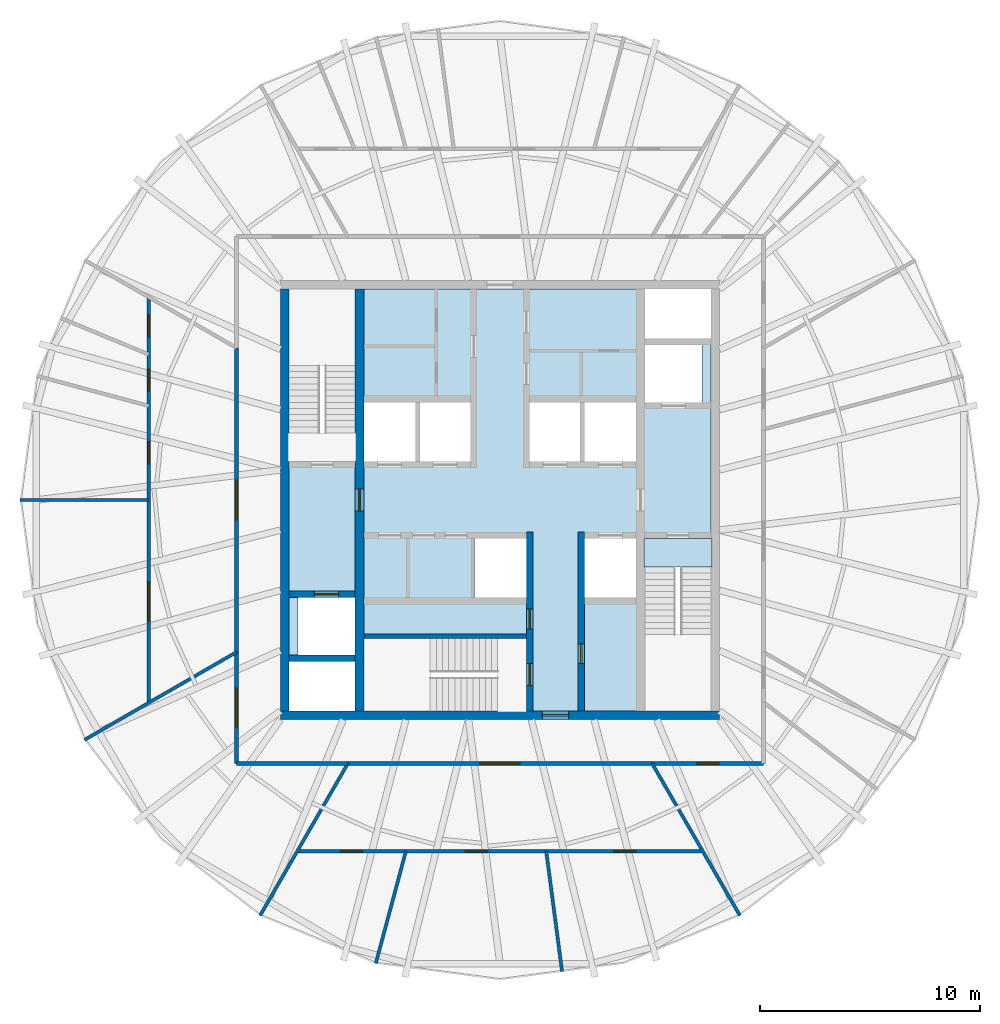
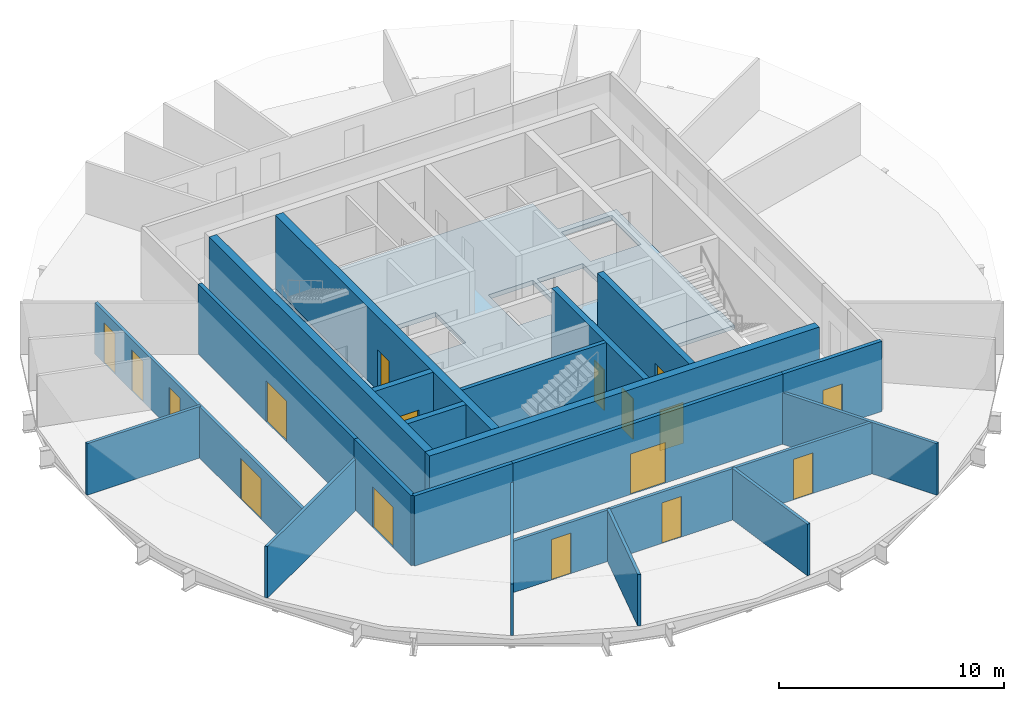
# One storey, part 3 of 7: 21 walls, 17 doors, 2 slabs, 17 openings.
"""IFC4 building model written with IfcOpenShell, lengths in metres."""

from ifc_helpers import new_model, si_unit, direction, frame, frame_2d, origin, place, context, subcontext, project, spatial, polyline, rectangle, outline, extrude, material, layer, layer_set, type_object, element, fill, save


model = new_model("IFC4")

# Units and contexts
model_context = context("Model", 3, precision=1e-05, world=origin(), true_north=direction((0.0, 1.0)))
body_context = subcontext(model_context, "Body", "Model", "MODEL_VIEW")
ifc_project = project(units=[si_unit("LENGTHUNIT", "METRE"), si_unit("AREAUNIT", "SQUARE_METRE"), si_unit("VOLUMEUNIT", "CUBIC_METRE"), si_unit("PLANEANGLEUNIT", "RADIAN"), si_unit("MASSUNIT", "GRAM", prefix="KILO")], contexts=[model_context])

# Site, building, storey
site_placement = place(None, origin())
site = spatial("IfcSite", under=ifc_project, at=site_placement, CompositionType="ELEMENT")
building_placement = place(site_placement, origin())
building = spatial("IfcBuilding", under=site, at=building_placement, Name="Golbaran Civic Tower", CompositionType="ELEMENT")
storey_placement = place(building_placement, frame((0.0, 0.0, 268.0)))
storey = spatial("IfcBuildingStorey", under=building, at=storey_placement, Name="L65", CompositionType="ELEMENT", Elevation=268.0)

# Slabs
ifc_material_1 = material(Name="Concrete C35/45", Category="concrete")
ifc_layer_1 = layer(ifc_material_1, 0.25, Name="Concrete C35/45")
ifc_layer_set_1 = layer_set([ifc_layer_1], Name="Concrete C35/45")
slab_type_1 = type_object("IfcSlabType", Name="CORE FLOOR SLAB 250", PredefinedType="FLOOR", material=ifc_layer_set_1)
slab_1_placement = place(storey_placement, frame((0.0, 0.0, -0.25)))
element("IfcSlab", 1, at=slab_1_placement, inside=storey, type_object=slab_type_1, Name="Core floor slab L65", PredefinedType="FLOOR", context=body_context, shape_type="SweptSolid", body=[
    extrude(outline(polyline([(6.60009765625, -1.75), (6.60009765625, -9.60009765625), (1.199951171875, -9.60009765625), (1.199951171875, -6.300048828125), (-6.199951171875, -6.300048828125), (-6.199951171875, -9.60009765625), (-6.60009765625, -9.60009765625), (-6.60009765625, -7.35009765625), (-9.60009765625, -7.35009765625), (-9.60009765625, 1.75), (-6.60009765625, 1.75), (-6.60009765625, 9.60009765625), (6.60009765625, 9.60009765625), (6.60009765625, 7.35009765625), (9.60009765625, 7.35009765625), (9.60009765625, -1.75), (6.60009765625, -1.75)]), holes=[polyline([(9.199951171875, 7.050048828125), (6.60009765625, 7.050048828125), (6.60009765625, 4.449951171875), (9.199951171875, 4.449951171875), (9.199951171875, 7.050048828125)]), polyline([(6.199951171875, -1.75), (3.85009765625, -1.75), (3.85009765625, -4.449951171875), (6.199951171875, -4.449951171875), (6.199951171875, -1.75)]), polyline([(6.199951171875, 4.449951171875), (3.85009765625, 4.449951171875), (3.85009765625, 1.75), (6.199951171875, 1.75), (6.199951171875, 4.449951171875)]), polyline([(3.64990234375, 4.449951171875), (1.35009765625, 4.449951171875), (1.35009765625, 1.75), (3.64990234375, 1.75), (3.64990234375, 4.449951171875)]), polyline([(-1.14990234375, -1.75), (-1.14990234375, -4.449951171875), (1.199951171875, -4.449951171875), (1.199951171875, -1.75), (-1.14990234375, -1.75)]), polyline([(-1.35009765625, 4.449951171875), (-3.64990234375, 4.449951171875), (-3.64990234375, 1.75), (-1.35009765625, 1.75), (-1.35009765625, 4.449951171875)]), polyline([(-3.85009765625, 4.449951171875), (-6.199951171875, 4.449951171875), (-6.199951171875, 1.75), (-3.85009765625, 1.75), (-3.85009765625, 4.449951171875)]), polyline([(-6.60009765625, -4.449951171875), (-9.199951171875, -4.449951171875), (-9.199951171875, -7.050048828125), (-6.60009765625, -7.050048828125), (-6.60009765625, -4.449951171875)])]), origin(), (0.0, 0.0, 1.0), 0.25),
])
ifc_layer_2 = layer(ifc_material_1, 0.199951171875, Name="Concrete C35/45")
ifc_layer_set_2 = layer_set([ifc_layer_2], Name="Concrete C35/45")
slab_type_2 = type_object("IfcSlabType", Name="STAIR LANDING 200", PredefinedType="LANDING", material=ifc_layer_set_2)
slab_2_placement = place(storey_placement, frame((0.0, 0.0, -0.199951171875)))
element("IfcSlab", 2, at=slab_2_placement, inside=storey, type_object=slab_type_2, Name="Stair S2 floor landing L65", PredefinedType="LANDING", context=body_context, shape_type="SweptSolid", body=[
    extrude(outline(polyline([(9.64990234375, -1.75), (9.64990234375, -3.054931640625), (6.550048828125, -3.054931640625), (6.550048828125, -1.75), (9.64990234375, -1.75)])), origin(), (0.0, 0.0, 1.0), 0.199951171875),
])

# Wall, opening, door
ifc_material_2 = material(Name="Concrete C50/60", Category="concrete")
ifc_layer_3 = layer(ifc_material_2, 0.39990234375, Name="Concrete C50/60")
ifc_layer_set_3 = layer_set([ifc_layer_3], Name="Concrete C50/60")
wall_type_1 = type_object("IfcWallType", Name="CORE WALL CONCRETE 400", PredefinedType="SOLIDWALL", material=ifc_layer_set_3)
wall_1_placement = place(storey_placement, frame((10.0, -9.800048828125, 0.0), z_axis=(0.0, 0.0, 1.0), x_axis=(-1.0, 0.0, 0.0)))
wall_1 = element("IfcWall", 3, at=wall_1_placement, inside=storey, type_object=wall_type_1, Name="Core wall CS L65", PredefinedType="SOLIDWALL", context=body_context, shape_type="SweptSolid", body=[
    extrude(rectangle(XDim=20.0, YDim=0.39990234375, at=frame_2d((10.0, 0.0))), origin(), (0.0, 0.0, 1.0), 4.0),
])
opening_1_placement = place(wall_1_placement, frame((6.875, 0.0, 0.0)))
opening_1 = element("IfcOpeningElement", 4, at=opening_1_placement, cuts=wall_1, Name="Opening L65.CS", PredefinedType="OPENING", context=body_context, shape_type="SweptSolid", body=[
    extrude(rectangle(XDim=1.199951171875, YDim=2.199951171875, at=frame_2d((0.60009765625, 1.10009765625))), frame((0.0, 0.2099609375, 0.0), z_axis=(0.0, -1.0, 0.0), x_axis=(1.0, 0.0, 0.0)), (0.0, 0.0, 1.0), 0.419921875),
])
ifc_material_3 = material(Name="Timber door set in steel frame", Category="steel")
door_type_1 = type_object("IfcDoorType", Name="CORE DOOR 1200x2200", OperationType="DOUBLE_DOOR_SINGLE_SWING", PredefinedType="DOOR", material=ifc_material_3)
door_1_placement = place(opening_1_placement, origin())
door_1 = element("IfcDoor", 5, at=door_1_placement, inside=storey, type_object=door_type_1, Name="Core door south", OperationType="DOUBLE_DOOR_SINGLE_SWING", OverallHeight=2.199951171875, OverallWidth=1.199951171875, PredefinedType="DOOR", context=body_context, shape_type="SweptSolid", body=[
    extrude(rectangle(XDim=1.199951171875, YDim=2.199951171875, at=frame_2d((0.60009765625, 1.10009765625))), frame((0.0, 0.02490234375, 0.0), z_axis=(0.0, -1.0, 0.0), x_axis=(1.0, 0.0, 0.0)), (0.0, 0.0, 1.0), 0.050048828125),
])
fill(opening_1, door_1)

# Wall
wall_2_placement = place(storey_placement, frame((-9.800048828125, 9.60009765625, 0.0), z_axis=(0.0, 0.0, 1.0), x_axis=(0.0, -1.0, 0.0)))
element("IfcWall", 6, at=wall_2_placement, inside=storey, type_object=wall_type_1, Name="Core wall CW L65", PredefinedType="SOLIDWALL", context=body_context, shape_type="SweptSolid", body=[
    extrude(rectangle(XDim=19.2001953125, YDim=0.39990234375, at=frame_2d((9.60009765625, 0.0))), origin(), (0.0, 0.0, 1.0), 4.0),
])

# Wall, opening, door
wall_3_placement = place(storey_placement, frame((-6.39990234375, -9.60009765625, 0.0), z_axis=(0.0, 0.0, 1.0), x_axis=(0.0, 1.0, 0.0)))
wall_3 = element("IfcWall", 7, at=wall_3_placement, inside=storey, type_object=wall_type_1, Name="Core wall IW L65", PredefinedType="SOLIDWALL", context=body_context, shape_type="SweptSolid", body=[
    extrude(rectangle(XDim=19.2001953125, YDim=0.39990234375, at=frame_2d((9.60009765625, 0.0))), origin(), (0.0, 0.0, 1.0), 4.0),
])
opening_2_placement = place(wall_3_placement, frame((9.10009765625, 0.0, 0.0)))
opening_2 = element("IfcOpeningElement", 8, at=opening_2_placement, cuts=wall_3, Name="Opening L65.FL1", PredefinedType="OPENING", context=body_context, shape_type="SweptSolid", body=[
    extrude(rectangle(XDim=1.0, YDim=2.199951171875, at=frame_2d((0.5, 1.10009765625))), frame((0.0, 0.2099609375, 0.0), z_axis=(0.0, -1.0, 0.0), x_axis=(1.0, 0.0, 0.0)), (0.0, 0.0, 1.0), 0.419921875),
])
door_type_2 = type_object("IfcDoorType", Name="STAIR DOOR 1000x2200", OperationType="SINGLE_SWING_LEFT", PredefinedType="DOOR", material=ifc_material_3)
door_2_placement = place(opening_2_placement, origin())
door_2 = element("IfcDoor", 9, at=door_2_placement, inside=storey, type_object=door_type_2, Name="Fire-fighting lobby FL1 door", OperationType="SINGLE_SWING_LEFT", OverallHeight=2.199951171875, OverallWidth=1.0, PredefinedType="DOOR", context=body_context, shape_type="SweptSolid", body=[
    extrude(rectangle(XDim=1.0, YDim=2.199951171875, at=frame_2d((0.5, 1.10009765625))), frame((0.0, 0.02490234375, 0.0), z_axis=(0.0, -1.0, 0.0), x_axis=(1.0, 0.0, 0.0)), (0.0, 0.0, 1.0), 0.050048828125),
])
fill(opening_2, door_2)

ifc_material_4 = material(Name="Gypsum board on steel studs, fire-rated", Category="steel")
ifc_layer_4 = layer(ifc_material_4, 0.199951171875, Name="Gypsum board on steel studs, fire-rated")
ifc_layer_set_4 = layer_set([ifc_layer_4], Name="Gypsum board on steel studs, fire-rated")
wall_type_2 = type_object("IfcWallType", Name="CORRIDOR WALL 200", PredefinedType="PARTITIONING", material=ifc_layer_set_4)
wall_4_placement = place(storey_placement, frame((-12.0, 6.92822265625, 0.0), z_axis=(0.0, 0.0, 1.0), x_axis=(0.0, -1.0, 0.0)))
wall_4 = element("IfcWall", 10, at=wall_4_placement, inside=storey, type_object=wall_type_2, Name="Corridor wall L65", PredefinedType="PARTITIONING", context=body_context, shape_type="SweptSolid", body=[
    extrude(rectangle(XDim=13.8564453125, YDim=0.199951171875, at=frame_2d((6.92822265625, 0.0))), origin(), (0.0, 0.0, 1.0), 3.800048828125),
])
opening_3_placement = place(wall_4_placement, frame((6.0283203125, 0.0, 0.0)))
opening_3 = element("IfcOpeningElement", 11, at=opening_3_placement, cuts=wall_4, Name="Opening L65.21", PredefinedType="OPENING", context=body_context, shape_type="SweptSolid", body=[
    extrude(rectangle(XDim=1.800048828125, YDim=2.199951171875, at=frame_2d((0.89990234375, 1.10009765625))), frame((0.0, 0.10986328125, 0.0), z_axis=(0.0, -1.0, 0.0), x_axis=(1.0, 0.0, 0.0)), (0.0, 0.0, 1.0), 0.219970703125),
])
door_type_3 = type_object("IfcDoorType", Name="OFFICE DOUBLE DOOR 1800x2200", OperationType="DOUBLE_DOOR_SINGLE_SWING", PredefinedType="DOOR", material=ifc_material_3)
door_3_placement = place(opening_3_placement, origin())
door_3 = element("IfcDoor", 12, at=door_3_placement, inside=storey, type_object=door_type_3, Name="Open Office door L65", OperationType="DOUBLE_DOOR_SINGLE_SWING", OverallHeight=2.199951171875, OverallWidth=1.800048828125, PredefinedType="DOOR", context=body_context, shape_type="SweptSolid", body=[
    extrude(rectangle(XDim=1.800048828125, YDim=2.199951171875, at=frame_2d((0.89990234375, 1.10009765625))), frame((0.0, 0.02490234375, 0.0), z_axis=(0.0, -1.0, 0.0), x_axis=(1.0, 0.0, 0.0)), (0.0, 0.0, 1.0), 0.050048828125),
])
fill(opening_3, door_3)

wall_5_placement = place(storey_placement, frame((-12.0, -6.92822265625, 0.0), z_axis=(0.0, 0.0, 1.0), x_axis=(0.0, -1.0, 0.0)))
wall_5 = element("IfcWall", 13, at=wall_5_placement, inside=storey, type_object=wall_type_2, Name="Corridor wall L65", PredefinedType="PARTITIONING", context=body_context, shape_type="SweptSolid", body=[
    extrude(rectangle(XDim=5.07177734375, YDim=0.199951171875, at=frame_2d((2.535888671875, 0.0))), origin(), (0.0, 0.0, 1.0), 3.800048828125),
])
opening_4_placement = place(wall_5_placement, frame((1.635986328125, 0.0, 0.0)))
opening_4 = element("IfcOpeningElement", 14, at=opening_4_placement, cuts=wall_5, Name="Opening L65.22", PredefinedType="OPENING", context=body_context, shape_type="SweptSolid", body=[
    extrude(rectangle(XDim=1.800048828125, YDim=2.199951171875, at=frame_2d((0.89990234375, 1.10009765625))), frame((0.0, 0.10986328125, 0.0), z_axis=(0.0, -1.0, 0.0), x_axis=(1.0, 0.0, 0.0)), (0.0, 0.0, 1.0), 0.219970703125),
])
door_4_placement = place(opening_4_placement, origin())
door_4 = element("IfcDoor", 15, at=door_4_placement, inside=storey, type_object=door_type_3, Name="Open Office door L65", OperationType="DOUBLE_DOOR_SINGLE_SWING", OverallHeight=2.199951171875, OverallWidth=1.800048828125, PredefinedType="DOOR", context=body_context, shape_type="SweptSolid", body=[
    extrude(rectangle(XDim=1.800048828125, YDim=2.199951171875, at=frame_2d((0.89990234375, 1.10009765625))), frame((0.0, 0.02490234375, 0.0), z_axis=(0.0, -1.0, 0.0), x_axis=(1.0, 0.0, 0.0)), (0.0, 0.0, 1.0), 0.050048828125),
])
fill(opening_4, door_4)

# Wall
wall_6_placement = place(storey_placement, frame((-12.0, -12.0, 0.0), z_axis=(0.0, 0.0, 1.0), x_axis=(1.0, 0.0, 0.0)))
element("IfcWall", 16, at=wall_6_placement, inside=storey, type_object=wall_type_2, Name="Corridor wall L65", PredefinedType="PARTITIONING", context=body_context, shape_type="SweptSolid", body=[
    extrude(rectangle(XDim=5.07177734375, YDim=0.199951171875, at=frame_2d((2.535888671875, 0.0))), origin(), (0.0, 0.0, 1.0), 3.800048828125),
])

# Wall, opening, door
wall_7_placement = place(storey_placement, frame((-6.92822265625, -12.0, 0.0), z_axis=(0.0, 0.0, 1.0), x_axis=(1.0, 0.0, 0.0)))
wall_7 = element("IfcWall", 17, at=wall_7_placement, inside=storey, type_object=wall_type_2, Name="Corridor wall L65", PredefinedType="PARTITIONING", context=body_context, shape_type="SweptSolid", body=[
    extrude(rectangle(XDim=13.8564453125, YDim=0.199951171875, at=frame_2d((6.92822265625, 0.0))), origin(), (0.0, 0.0, 1.0), 3.800048828125),
])
opening_5_placement = place(wall_7_placement, frame((6.0283203125, 0.0, 0.0)))
opening_5 = element("IfcOpeningElement", 18, at=opening_5_placement, cuts=wall_7, Name="Opening L65.23", PredefinedType="OPENING", context=body_context, shape_type="SweptSolid", body=[
    extrude(rectangle(XDim=1.800048828125, YDim=2.199951171875, at=frame_2d((0.89990234375, 1.10009765625))), frame((0.0, 0.10986328125, 0.0), z_axis=(0.0, -1.0, 0.0), x_axis=(1.0, 0.0, 0.0)), (0.0, 0.0, 1.0), 0.219970703125),
])
door_5_placement = place(opening_5_placement, origin())
door_5 = element("IfcDoor", 19, at=door_5_placement, inside=storey, type_object=door_type_3, Name="Secretariat door L65", OperationType="DOUBLE_DOOR_SINGLE_SWING", OverallHeight=2.199951171875, OverallWidth=1.800048828125, PredefinedType="DOOR", context=body_context, shape_type="SweptSolid", body=[
    extrude(rectangle(XDim=1.800048828125, YDim=2.199951171875, at=frame_2d((0.89990234375, 1.10009765625))), frame((0.0, 0.02490234375, 0.0), z_axis=(0.0, -1.0, 0.0), x_axis=(1.0, 0.0, 0.0)), (0.0, 0.0, 1.0), 0.050048828125),
])
fill(opening_5, door_5)

wall_8_placement = place(storey_placement, frame((6.92822265625, -12.0, 0.0), z_axis=(0.0, 0.0, 1.0), x_axis=(1.0, 0.0, 0.0)))
wall_8 = element("IfcWall", 20, at=wall_8_placement, inside=storey, type_object=wall_type_2, Name="Corridor wall L65", PredefinedType="PARTITIONING", context=body_context, shape_type="SweptSolid", body=[
    extrude(rectangle(XDim=5.07177734375, YDim=0.199951171875, at=frame_2d((2.535888671875, 0.0))), origin(), (0.0, 0.0, 1.0), 3.800048828125),
])
opening_6_placement = place(wall_8_placement, frame((2.035888671875, 0.0, 0.0)))
opening_6 = element("IfcOpeningElement", 21, at=opening_6_placement, cuts=wall_8, Name="Opening L65.24", PredefinedType="OPENING", context=body_context, shape_type="SweptSolid", body=[
    extrude(rectangle(XDim=1.0, YDim=2.199951171875, at=frame_2d((0.5, 1.10009765625))), frame((0.0, 0.10986328125, 0.0), z_axis=(0.0, -1.0, 0.0), x_axis=(1.0, 0.0, 0.0)), (0.0, 0.0, 1.0), 0.219970703125),
])
door_type_4 = type_object("IfcDoorType", Name="OFFICE DOOR 1000x2200", OperationType="SINGLE_SWING_LEFT", PredefinedType="DOOR", material=ifc_material_3)
door_6_placement = place(opening_6_placement, origin())
door_6 = element("IfcDoor", 22, at=door_6_placement, inside=storey, type_object=door_type_4, Name="Meeting Room door L65", OperationType="SINGLE_SWING_LEFT", OverallHeight=2.199951171875, OverallWidth=1.0, PredefinedType="DOOR", context=body_context, shape_type="SweptSolid", body=[
    extrude(rectangle(XDim=1.0, YDim=2.199951171875, at=frame_2d((0.5, 1.10009765625))), frame((0.0, 0.02490234375, 0.0), z_axis=(0.0, -1.0, 0.0), x_axis=(1.0, 0.0, 0.0)), (0.0, 0.0, 1.0), 0.050048828125),
])
fill(opening_6, door_6)

# Walls
ifc_material_5 = material(Name="Gypsum board on steel studs", Category="steel")
ifc_layer_5 = layer(ifc_material_5, 0.14990234375, Name="Gypsum board on steel studs")
ifc_layer_set_5 = layer_set([ifc_layer_5], Name="Gypsum board on steel studs")
wall_type_3 = type_object("IfcWallType", Name="OFFICE PARTITION 150", PredefinedType="PARTITIONING", material=ifc_layer_set_5)
for number, where, z_axis, x_axis, name in (
    (23, (-12.0, -6.92822265625, 0.0), (0.0, 0.0, 1.0), (-0.86602940896, -0.499993062769, 0.0), "Partition 210 L65"),
    (24, (-6.92822265625, -12.0, 0.0), (0.0, 0.0, 1.0), (-0.499993062769, -0.86602940896, 0.0), "Partition 240 L65"),
    (25, (6.92822265625, -12.0, 0.0), (0.0, 0.0, 1.0), (0.499993062769, -0.86602940896, 0.0), "Partition 300 L65"),
):
    element("IfcWall", number, at=place(storey_placement, frame(where, z_axis=z_axis, x_axis=x_axis)), inside=storey, type_object=wall_type_3, Name=name, PredefinedType="PARTITIONING", context=body_context, shape_type="SweptSolid", body=[
        extrude(rectangle(XDim=7.99169921875, YDim=0.14990234375, at=frame_2d((3.995849609375, 0.0))), origin(), (0.0, 0.0, 1.0), 2.7900390625),
    ])

# Wall, openings, doors
wall_9_placement = place(storey_placement, frame((-16.0, 9.237548828125, 0.0), z_axis=(0.0, 0.0, 1.0), x_axis=(0.0, -1.0, 0.0)))
wall_9 = element("IfcWall", 26, at=wall_9_placement, inside=storey, type_object=wall_type_3, Name="Suite partition L65", PredefinedType="PARTITIONING", context=body_context, shape_type="SweptSolid", body=[
    extrude(rectangle(XDim=18.47509765625, YDim=0.14990234375, at=frame_2d((9.237548828125, 0.0))), origin(), (0.0, 0.0, 1.0), 2.7900390625),
])
opening_7_placement = place(wall_9_placement, frame((0.80517578125, 0.0, 0.0)))
opening_7 = element("IfcOpeningElement", 27, at=opening_7_placement, cuts=wall_9, Name="Opening L65.07", PredefinedType="OPENING", context=body_context, shape_type="SweptSolid", body=[
    extrude(rectangle(XDim=1.0, YDim=2.199951171875, at=frame_2d((0.5, 1.10009765625))), frame((0.0, 0.0849609375, 0.0), z_axis=(0.0, -1.0, 0.0), x_axis=(1.0, 0.0, 0.0)), (0.0, 0.0, 1.0), 0.169921875),
])
opening_8_placement = place(wall_9_placement, frame((3.2802734375, 0.0, 0.0)))
opening_8 = element("IfcOpeningElement", 28, at=opening_8_placement, cuts=wall_9, Name="Opening L65.08", PredefinedType="OPENING", context=body_context, shape_type="SweptSolid", body=[
    extrude(rectangle(XDim=1.0, YDim=2.199951171875, at=frame_2d((0.5, 1.10009765625))), frame((0.0, 0.0849609375, 0.0), z_axis=(0.0, -1.0, 0.0), x_axis=(1.0, 0.0, 0.0)), (0.0, 0.0, 1.0), 0.169921875),
])
opening_9_placement = place(wall_9_placement, frame((6.593994140625, 0.0, 0.0)))
opening_9 = element("IfcOpeningElement", 29, at=opening_9_placement, cuts=wall_9, Name="Opening L65.09", PredefinedType="OPENING", context=body_context, shape_type="SweptSolid", body=[
    extrude(rectangle(XDim=1.0, YDim=2.199951171875, at=frame_2d((0.5, 1.10009765625))), frame((0.0, 0.0849609375, 0.0), z_axis=(0.0, -1.0, 0.0), x_axis=(1.0, 0.0, 0.0)), (0.0, 0.0, 1.0), 0.169921875),
])
opening_10_placement = place(wall_9_placement, frame((12.956298828125, 0.0, 0.0)))
opening_10 = element("IfcOpeningElement", 30, at=opening_10_placement, cuts=wall_9, Name="Opening L65.10", PredefinedType="OPENING", context=body_context, shape_type="SweptSolid", body=[
    extrude(rectangle(XDim=1.800048828125, YDim=2.199951171875, at=frame_2d((0.89990234375, 1.10009765625))), frame((0.0, 0.0849609375, 0.0), z_axis=(0.0, -1.0, 0.0), x_axis=(1.0, 0.0, 0.0)), (0.0, 0.0, 1.0), 0.169921875),
])
door_7_placement = place(opening_7_placement, origin())
door_7 = element("IfcDoor", 31, at=door_7_placement, inside=storey, type_object=door_type_4, Name="Office door L65", OperationType="SINGLE_SWING_LEFT", OverallHeight=2.199951171875, OverallWidth=1.0, PredefinedType="DOOR", context=body_context, shape_type="SweptSolid", body=[
    extrude(rectangle(XDim=1.0, YDim=2.199951171875, at=frame_2d((0.5, 1.10009765625))), frame((0.0, 0.02490234375, 0.0), z_axis=(0.0, -1.0, 0.0), x_axis=(1.0, 0.0, 0.0)), (0.0, 0.0, 1.0), 0.050048828125),
])
fill(opening_7, door_7)
door_8_placement = place(opening_8_placement, origin())
door_8 = element("IfcDoor", 32, at=door_8_placement, inside=storey, type_object=door_type_4, Name="Office door L65", OperationType="SINGLE_SWING_LEFT", OverallHeight=2.199951171875, OverallWidth=1.0, PredefinedType="DOOR", context=body_context, shape_type="SweptSolid", body=[
    extrude(rectangle(XDim=1.0, YDim=2.199951171875, at=frame_2d((0.5, 1.10009765625))), frame((0.0, 0.02490234375, 0.0), z_axis=(0.0, -1.0, 0.0), x_axis=(1.0, 0.0, 0.0)), (0.0, 0.0, 1.0), 0.050048828125),
])
fill(opening_8, door_8)
door_9_placement = place(opening_9_placement, origin())
door_9 = element("IfcDoor", 33, at=door_9_placement, inside=storey, type_object=door_type_4, Name="Office door L65", OperationType="SINGLE_SWING_LEFT", OverallHeight=2.199951171875, OverallWidth=1.0, PredefinedType="DOOR", context=body_context, shape_type="SweptSolid", body=[
    extrude(rectangle(XDim=1.0, YDim=2.199951171875, at=frame_2d((0.5, 1.10009765625))), frame((0.0, 0.02490234375, 0.0), z_axis=(0.0, -1.0, 0.0), x_axis=(1.0, 0.0, 0.0)), (0.0, 0.0, 1.0), 0.050048828125),
])
fill(opening_9, door_9)
door_10_placement = place(opening_10_placement, origin())
door_10 = element("IfcDoor", 34, at=door_10_placement, inside=storey, type_object=door_type_3, Name="Meeting Room door L65", OperationType="DOUBLE_DOOR_SINGLE_SWING", OverallHeight=2.199951171875, OverallWidth=1.800048828125, PredefinedType="DOOR", context=body_context, shape_type="SweptSolid", body=[
    extrude(rectangle(XDim=1.800048828125, YDim=2.199951171875, at=frame_2d((0.89990234375, 1.10009765625))), frame((0.0, 0.02490234375, 0.0), z_axis=(0.0, -1.0, 0.0), x_axis=(1.0, 0.0, 0.0)), (0.0, 0.0, 1.0), 0.050048828125),
])
fill(opening_10, door_10)

# Wall
wall_10_placement = place(storey_placement, frame((-16.0, 0.0, 0.0), z_axis=(0.0, 0.0, 1.0), x_axis=(-1.0, 0.0, 0.0)))
element("IfcWall", 35, at=wall_10_placement, inside=storey, type_object=wall_type_3, Name="Partition 180 L65", PredefinedType="PARTITIONING", context=body_context, shape_type="SweptSolid", body=[
    extrude(rectangle(XDim=5.84814453125, YDim=0.14990234375, at=frame_2d((2.924072265625, 0.0))), origin(), (0.0, 0.0, 1.0), 2.7900390625),
])

# Wall, openings, doors
wall_11_placement = place(storey_placement, frame((-9.237548828125, -16.0, 0.0), z_axis=(0.0, 0.0, 1.0), x_axis=(1.0, 0.0, 0.0)))
wall_11 = element("IfcWall", 36, at=wall_11_placement, inside=storey, type_object=wall_type_3, Name="Suite partition L65", PredefinedType="PARTITIONING", context=body_context, shape_type="SweptSolid", body=[
    extrude(rectangle(XDim=18.47509765625, YDim=0.14990234375, at=frame_2d((9.237548828125, 0.0))), origin(), (0.0, 0.0, 1.0), 2.7900390625),
])
opening_11_placement = place(wall_11_placement, frame((1.97509765625, 0.0, 0.0)))
opening_11 = element("IfcOpeningElement", 37, at=opening_11_placement, cuts=wall_11, Name="Opening L65.11", PredefinedType="OPENING", context=body_context, shape_type="SweptSolid", body=[
    extrude(rectangle(XDim=1.0, YDim=2.199951171875, at=frame_2d((0.5, 1.10009765625))), frame((0.0, 0.0849609375, 0.0), z_axis=(0.0, -1.0, 0.0), x_axis=(1.0, 0.0, 0.0)), (0.0, 0.0, 1.0), 0.169921875),
])
opening_12_placement = place(wall_11_placement, frame((7.647216796875, 0.0, 0.0)))
opening_12 = element("IfcOpeningElement", 38, at=opening_12_placement, cuts=wall_11, Name="Opening L65.12", PredefinedType="OPENING", context=body_context, shape_type="SweptSolid", body=[
    extrude(rectangle(XDim=1.0, YDim=2.199951171875, at=frame_2d((0.5, 1.10009765625))), frame((0.0, 0.0849609375, 0.0), z_axis=(0.0, -1.0, 0.0), x_axis=(1.0, 0.0, 0.0)), (0.0, 0.0, 1.0), 0.169921875),
])
opening_13_placement = place(wall_11_placement, frame((14.40966796875, 0.0, 0.0)))
opening_13 = element("IfcOpeningElement", 39, at=opening_13_placement, cuts=wall_11, Name="Opening L65.13", PredefinedType="OPENING", context=body_context, shape_type="SweptSolid", body=[
    extrude(rectangle(XDim=1.0, YDim=2.199951171875, at=frame_2d((0.5, 1.10009765625))), frame((0.0, 0.0849609375, 0.0), z_axis=(0.0, -1.0, 0.0), x_axis=(1.0, 0.0, 0.0)), (0.0, 0.0, 1.0), 0.169921875),
])
door_11_placement = place(opening_11_placement, origin())
door_11 = element("IfcDoor", 40, at=door_11_placement, inside=storey, type_object=door_type_4, Name="Assistants' Office door L65", OperationType="SINGLE_SWING_LEFT", OverallHeight=2.199951171875, OverallWidth=1.0, PredefinedType="DOOR", context=body_context, shape_type="SweptSolid", body=[
    extrude(rectangle(XDim=1.0, YDim=2.199951171875, at=frame_2d((0.5, 1.10009765625))), frame((0.0, 0.02490234375, 0.0), z_axis=(0.0, -1.0, 0.0), x_axis=(1.0, 0.0, 0.0)), (0.0, 0.0, 1.0), 0.050048828125),
])
fill(opening_11, door_11)
door_12_placement = place(opening_12_placement, origin())
door_12 = element("IfcDoor", 41, at=door_12_placement, inside=storey, type_object=door_type_4, Name="Director's Office door L65", OperationType="SINGLE_SWING_LEFT", OverallHeight=2.199951171875, OverallWidth=1.0, PredefinedType="DOOR", context=body_context, shape_type="SweptSolid", body=[
    extrude(rectangle(XDim=1.0, YDim=2.199951171875, at=frame_2d((0.5, 1.10009765625))), frame((0.0, 0.02490234375, 0.0), z_axis=(0.0, -1.0, 0.0), x_axis=(1.0, 0.0, 0.0)), (0.0, 0.0, 1.0), 0.050048828125),
])
fill(opening_12, door_12)
door_13_placement = place(opening_13_placement, origin())
door_13 = element("IfcDoor", 42, at=door_13_placement, inside=storey, type_object=door_type_4, Name="Assistants' Office door L65", OperationType="SINGLE_SWING_RIGHT", OverallHeight=2.199951171875, OverallWidth=1.0, PredefinedType="DOOR", context=body_context, shape_type="SweptSolid", body=[
    extrude(rectangle(XDim=1.0, YDim=2.199951171875, at=frame_2d((0.5, 1.10009765625))), frame((0.0, 0.02490234375, 0.0), z_axis=(0.0, -1.0, 0.0), x_axis=(1.0, 0.0, 0.0)), (0.0, 0.0, 1.0), 0.050048828125),
])
fill(opening_13, door_13)

# Walls
wall_12_placement = place(storey_placement, frame((-4.287109375, -16.0, 0.0), z_axis=(0.0, 0.0, 1.0), x_axis=(-0.258841554175, -0.96591979472, 0.0)))
element("IfcWall", 43, at=wall_12_placement, inside=storey, type_object=wall_type_3, Name="Partition 255 L65", PredefinedType="PARTITIONING", context=body_context, shape_type="SweptSolid", body=[
    extrude(rectangle(XDim=5.283935546875, YDim=0.14990234375, at=frame_2d((2.64208984375, 0.0))), origin(), (0.0, 0.0, 1.0), 2.7900390625),
])
wall_13_placement = place(storey_placement, frame((2.1064453125, -16.0, 0.0), z_axis=(0.0, 0.0, 1.0), x_axis=(0.130527690291, -0.991444664148, 0.0)))
element("IfcWall", 44, at=wall_13_placement, inside=storey, type_object=wall_type_3, Name="Partition 277.5 L65", PredefinedType="PARTITIONING", context=body_context, shape_type="SweptSolid", body=[
    extrude(rectangle(XDim=5.5234375, YDim=0.14990234375, at=frame_2d((2.76171875, 0.0))), origin(), (0.0, 0.0, 1.0), 2.7900390625),
])
ifc_layer_6 = layer(ifc_material_2, 0.199951171875, Name="Concrete C50/60")
ifc_layer_set_6 = layer_set([ifc_layer_6], Name="Concrete C50/60")
wall_type_4 = type_object("IfcWallType", Name="SHAFT WALL CONCRETE 200", PredefinedType="SOLIDWALL", material=ifc_layer_set_6)
wall_14_placement = place(storey_placement, frame((-6.199951171875, -6.199951171875, 0.0), z_axis=(0.0, 0.0, 1.0), x_axis=(1.0, 0.0, 0.0)))
element("IfcWall", 45, at=wall_14_placement, inside=storey, type_object=wall_type_4, Name="Core wall S3N L65", PredefinedType="SOLIDWALL", context=body_context, shape_type="SweptSolid", body=[
    extrude(rectangle(XDim=7.39990234375, YDim=0.199951171875, at=frame_2d((3.699951171875, 0.0))), origin(), (0.0, 0.0, 1.0), 4.0),
])

# Wall, openings, doors
ifc_layer_7 = layer(ifc_material_2, 0.300048828125, Name="Concrete C50/60")
ifc_layer_set_7 = layer_set([ifc_layer_7], Name="Concrete C50/60")
wall_type_5 = type_object("IfcWallType", Name="SHAFT WALL CONCRETE 300", PredefinedType="SOLIDWALL", material=ifc_layer_set_7)
wall_15_placement = place(storey_placement, frame((1.35009765625, -1.449951171875, 0.0), z_axis=(0.0, 0.0, 1.0), x_axis=(0.0, -1.0, 0.0)))
wall_15 = element("IfcWall", 46, at=wall_15_placement, inside=storey, type_object=wall_type_5, Name="Core wall PSW L65", PredefinedType="SOLIDWALL", context=body_context, shape_type="SweptSolid", body=[
    extrude(rectangle(XDim=8.150146484375, YDim=0.300048828125, at=frame_2d((4.0751953125, 0.0))), origin(), (0.0, 0.0, 1.0), 4.0),
])
opening_14_placement = place(wall_15_placement, frame((6.0, 0.0, 0.0)))
opening_14 = element("IfcOpeningElement", 47, at=opening_14_placement, cuts=wall_15, Name="Opening L65.S3", PredefinedType="OPENING", context=body_context, shape_type="SweptSolid", body=[
    extrude(rectangle(XDim=1.0, YDim=2.199951171875, at=frame_2d((0.5, 1.10009765625))), frame((0.0, 0.159912109375, 0.0), z_axis=(0.0, -1.0, 0.0), x_axis=(1.0, 0.0, 0.0)), (0.0, 0.0, 1.0), 0.320068359375),
])
opening_15_placement = place(wall_15_placement, frame((3.52490234375, 0.0, 0.0)))
opening_15 = element("IfcOpeningElement", 48, at=opening_15_placement, cuts=wall_15, Name="Opening L65.RE", PredefinedType="OPENING", context=body_context, shape_type="SweptSolid", body=[
    extrude(rectangle(XDim=0.89990234375, YDim=2.199951171875, at=frame_2d((0.449951171875, 1.10009765625))), frame((0.0, 0.159912109375, 0.0), z_axis=(0.0, -1.0, 0.0), x_axis=(1.0, 0.0, 0.0)), (0.0, 0.0, 1.0), 0.320068359375),
])
door_type_5 = type_object("IfcDoorType", Name="RISER DOOR 900x2200", OperationType="SINGLE_SWING_LEFT", PredefinedType="DOOR", material=ifc_material_3)
door_14_placement = place(opening_15_placement, origin())
door_14 = element("IfcDoor", 49, at=door_14_placement, inside=storey, type_object=door_type_5, Name="Electrical riser door", OperationType="SINGLE_SWING_LEFT", OverallHeight=2.199951171875, OverallWidth=0.89990234375, PredefinedType="DOOR", context=body_context, shape_type="SweptSolid", body=[
    extrude(rectangle(XDim=0.89990234375, YDim=2.199951171875, at=frame_2d((0.449951171875, 1.10009765625))), frame((0.0, 0.02490234375, 0.0), z_axis=(0.0, -1.0, 0.0), x_axis=(1.0, 0.0, 0.0)), (0.0, 0.0, 1.0), 0.050048828125),
])
fill(opening_15, door_14)
door_15_placement = place(opening_14_placement, origin())
door_15 = element("IfcDoor", 50, at=door_15_placement, inside=storey, type_object=door_type_2, Name="Stair S3 door", OperationType="SINGLE_SWING_RIGHT", OverallHeight=2.199951171875, OverallWidth=1.0, PredefinedType="DOOR", context=body_context, shape_type="SweptSolid", body=[
    extrude(rectangle(XDim=1.0, YDim=2.199951171875, at=frame_2d((0.5, 1.10009765625))), frame((0.0, 0.02490234375, 0.0), z_axis=(0.0, -1.0, 0.0), x_axis=(1.0, 0.0, 0.0)), (0.0, 0.0, 1.0), 0.050048828125),
])
fill(opening_14, door_15)

# Wall, opening, door
wall_16_placement = place(storey_placement, frame((3.699951171875, -1.449951171875, 0.0), z_axis=(0.0, 0.0, 1.0), x_axis=(0.0, -1.0, 0.0)))
wall_16 = element("IfcWall", 51, at=wall_16_placement, inside=storey, type_object=wall_type_5, Name="Core wall PSE L65", PredefinedType="SOLIDWALL", context=body_context, shape_type="SweptSolid", body=[
    extrude(rectangle(XDim=8.150146484375, YDim=0.300048828125, at=frame_2d((4.0751953125, 0.0))), origin(), (0.0, 0.0, 1.0), 4.0),
])
opening_16_placement = place(wall_16_placement, frame((5.10009765625, 0.0, 0.0)))
opening_16 = element("IfcOpeningElement", 52, at=opening_16_placement, cuts=wall_16, Name="Opening L65.RM", PredefinedType="OPENING", context=body_context, shape_type="SweptSolid", body=[
    extrude(rectangle(XDim=0.89990234375, YDim=2.199951171875, at=frame_2d((0.449951171875, 1.10009765625))), frame((0.0, 0.159912109375, 0.0), z_axis=(0.0, -1.0, 0.0), x_axis=(1.0, 0.0, 0.0)), (0.0, 0.0, 1.0), 0.320068359375),
])
door_16_placement = place(opening_16_placement, origin())
door_16 = element("IfcDoor", 53, at=door_16_placement, inside=storey, type_object=door_type_5, Name="Mechanical riser door", OperationType="SINGLE_SWING_RIGHT", OverallHeight=2.199951171875, OverallWidth=0.89990234375, PredefinedType="DOOR", context=body_context, shape_type="SweptSolid", body=[
    extrude(rectangle(XDim=0.89990234375, YDim=2.199951171875, at=frame_2d((0.449951171875, 1.10009765625))), frame((0.0, 0.02490234375, 0.0), z_axis=(0.0, -1.0, 0.0), x_axis=(1.0, 0.0, 0.0)), (0.0, 0.0, 1.0), 0.050048828125),
])
fill(opening_16, door_16)

wall_17_placement = place(storey_placement, frame((-9.60009765625, -4.300048828125, 0.0), z_axis=(0.0, 0.0, 1.0), x_axis=(1.0, 0.0, 0.0)))
wall_17 = element("IfcWall", 54, at=wall_17_placement, inside=storey, type_object=wall_type_5, Name="Core wall XW2 L65", PredefinedType="SOLIDWALL", context=body_context, shape_type="SweptSolid", body=[
    extrude(rectangle(XDim=3.0, YDim=0.300048828125, at=frame_2d((1.5, 0.0))), origin(), (0.0, 0.0, 1.0), 4.0),
])
opening_17_placement = place(wall_17_placement, frame((1.14990234375, 0.0, 0.0)))
opening_17 = element("IfcOpeningElement", 55, at=opening_17_placement, cuts=wall_17, Name="Opening L65.LD-F1", PredefinedType="OPENING", context=body_context, shape_type="SweptSolid", body=[
    extrude(rectangle(XDim=1.10009765625, YDim=2.199951171875, at=frame_2d((0.550048828125, 1.10009765625))), frame((0.0, 0.159912109375, 0.0), z_axis=(0.0, -1.0, 0.0), x_axis=(1.0, 0.0, 0.0)), (0.0, 0.0, 1.0), 0.320068359375),
])
ifc_material_6 = material(Name="Stainless steel", Category="steel")
door_type_6 = type_object("IfcDoorType", Name="LIFT LANDING DOOR 1100x2200", OperationType="SLIDING_TO_LEFT", PredefinedType="DOOR", material=ifc_material_6)
door_17_placement = place(opening_17_placement, origin())
door_17 = element("IfcDoor", 56, at=door_17_placement, inside=storey, type_object=door_type_6, Name="Lift landing door F1", OperationType="SLIDING_TO_LEFT", OverallHeight=2.199951171875, OverallWidth=1.10009765625, PredefinedType="DOOR", context=body_context, shape_type="SweptSolid", body=[
    extrude(rectangle(XDim=1.10009765625, YDim=2.199951171875, at=frame_2d((0.550048828125, 1.10009765625))), frame((0.0, 0.02490234375, 0.0), z_axis=(0.0, -1.0, 0.0), x_axis=(1.0, 0.0, 0.0)), (0.0, 0.0, 1.0), 0.050048828125),
])
fill(opening_17, door_17)

# Wall
wall_18_placement = place(storey_placement, frame((-9.60009765625, -7.199951171875, 0.0), z_axis=(0.0, 0.0, 1.0), x_axis=(1.0, 0.0, 0.0)))
element("IfcWall", 57, at=wall_18_placement, inside=storey, type_object=wall_type_5, Name="Core wall XW3 L65", PredefinedType="SOLIDWALL", context=body_context, shape_type="SweptSolid", body=[
    extrude(rectangle(XDim=3.0, YDim=0.300048828125, at=frame_2d((1.5, 0.0))), origin(), (0.0, 0.0, 1.0), 4.0),
])

save(model, "model.ifc")
